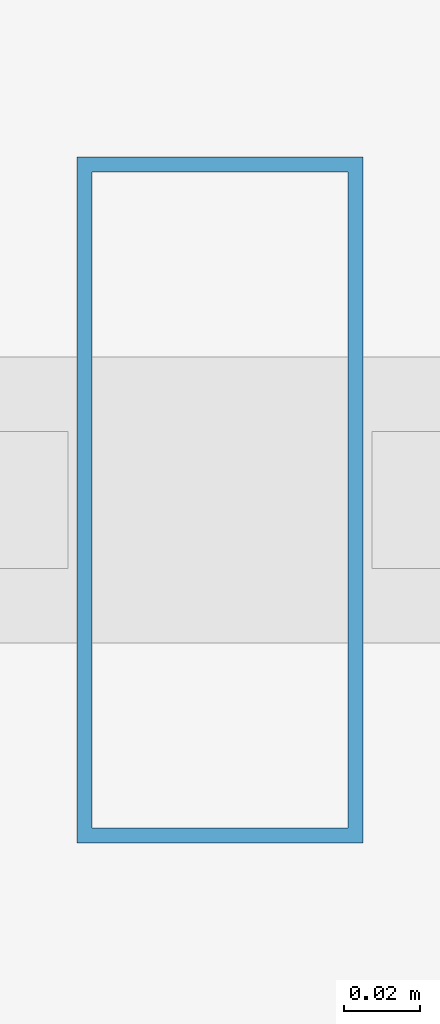
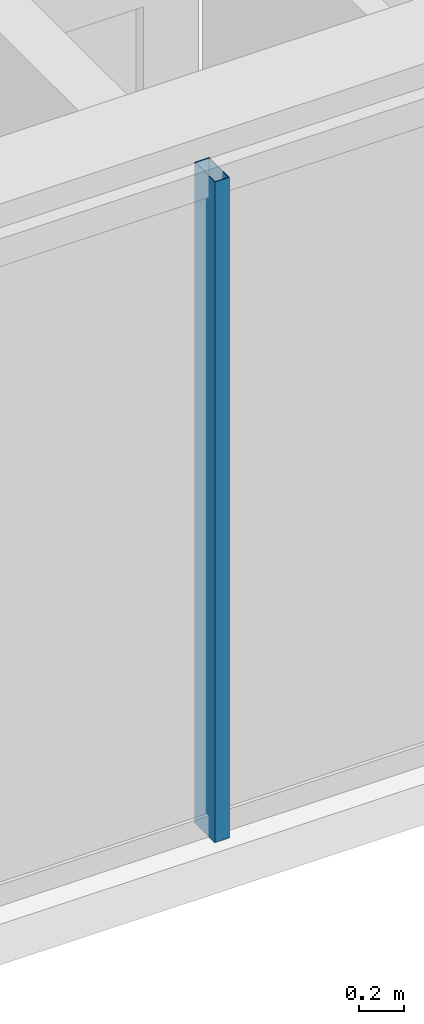
# One storey, part 3 of 32: 1 member, 1 element without a shape of its own.
"""IFC4 building model written with IfcOpenShell, lengths in metres."""

from ifc_helpers import new_model, si_unit, direction, frame, origin, origin_2d, place, context, subcontext, project, spatial, hollow_rectangle, extrude, material, layer, layer_set, material_profile, profile_set, type_object, element, aggregate, save


model = new_model("IFC4")

# Units and contexts
model_context = context("Model", 3, precision=1e-05, world=origin(), true_north=direction((0.0, 1.0)))
body_context = subcontext(model_context, "Body", "Model", "MODEL_VIEW")
ifc_project = project(units=[si_unit("LENGTHUNIT", "METRE"), si_unit("AREAUNIT", "SQUARE_METRE"), si_unit("VOLUMEUNIT", "CUBIC_METRE"), si_unit("PLANEANGLEUNIT", "RADIAN"), si_unit("MASSUNIT", "GRAM", prefix="KILO")], contexts=[model_context])

# Site, building, storey
site_placement = place(None, origin())
site = spatial("IfcSite", under=ifc_project, at=site_placement, CompositionType="ELEMENT")
building_placement = place(site_placement, origin())
building = spatial("IfcBuilding", under=site, at=building_placement, Name="Ndaravel Arena Tower", CompositionType="ELEMENT")
storey_placement = place(building_placement, frame((0.0, 0.0, 62.60009765625)))
storey = spatial("IfcBuildingStorey", under=building, at=storey_placement, Name="L13", CompositionType="ELEMENT", Elevation=62.60009765625)

# Curtain wall, member
ifc_material_1 = material(Name="Aluminium", Category="aluminium")
ifc_layer = layer(ifc_material_1, 0.179931640625)
ifc_layer_set = layer_set([ifc_layer], Name="Aluminium")
curtain_wall_type = type_object("IfcCurtainWallType", Name="CW-SYS-03", PredefinedType="NOTDEFINED", material=ifc_layer_set)
curtain_wall_placement = place(storey_placement, origin())
curtain_wall = element("IfcCurtainWall", 1, at=curtain_wall_placement, inside=storey, type_object=curtain_wall_type, Name="L13 Faceted Crystal Curtain Wall CW-L13-E01", PredefinedType="NOTDEFINED")
ifc_material_2 = material(Name="Aluminium", Category="aluminium")
ifc_material_profile = material_profile(ifc_material_2, hollow_rectangle(XDim=0.074951171875, YDim=0.179931640625, WallThickness=0.00390625, at=origin_2d()), Name="CW MULLION 75x180x4")
ifc_profile_set = profile_set([ifc_material_profile], Name="Aluminium")
member_type = type_object("IfcMemberType", Name="MEM-CW-MUL180", PredefinedType="MULLION", material=ifc_profile_set)
member_placement = place(storey_placement, frame((30.7607421875, 5.159912109375, 0.0), z_axis=(0.0, 0.0, 1.0), x_axis=(1.0, 0.0, 0.0)))
member = element("IfcMember", 2, at=member_placement, type_object=member_type, Name="CW-L13-E01 Mullion 01", PredefinedType="MULLION", context=body_context, shape_type="SweptSolid", body=[
    extrude(hollow_rectangle(XDim=0.074951171875, YDim=0.179931640625, WallThickness=0.00390625, at=origin_2d()), origin(), (0.0, 0.0, 1.0), 3.579833984375),
])
aggregate(curtain_wall, [member])

save(model, "model.ifc")
